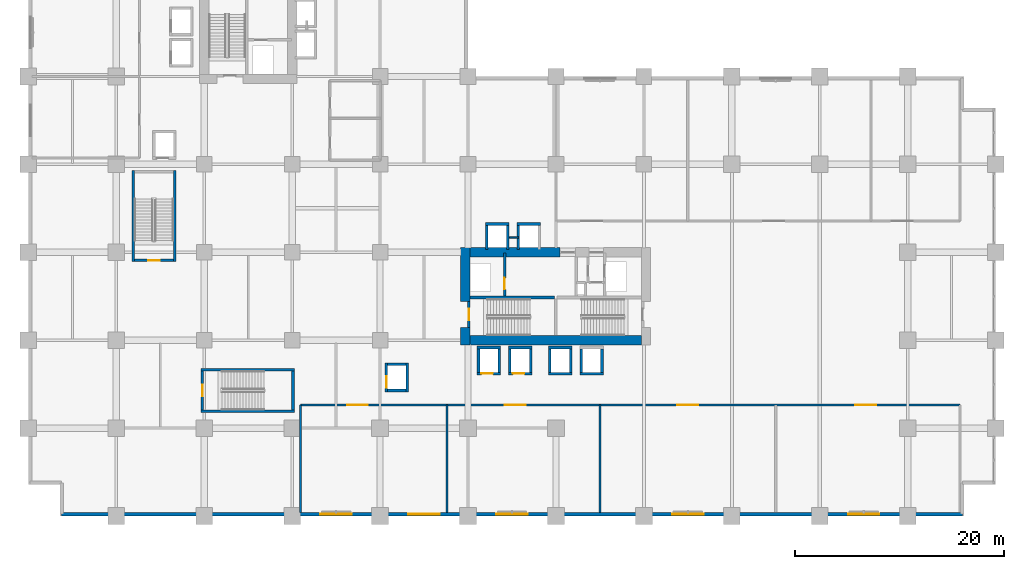
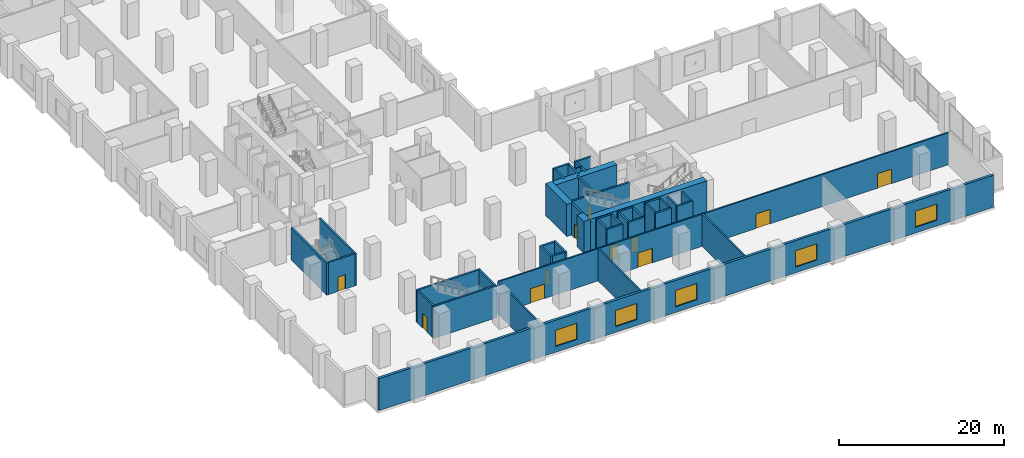
# One storey, part 9 of 23: 44 walls, 11 doors, 5 windows, 16 openings.
"""IFC4 building model written with IfcOpenShell, lengths in metres."""

from ifc_helpers import new_model, si_unit, direction, frame, frame_2d, origin, place, context, subcontext, project, spatial, rectangle, extrude, material, layer, layer_set, type_object, element, fill, save


model = new_model("IFC4")

# Units and contexts
model_context = context("Model", 3, precision=1e-05, world=origin(), true_north=direction((0.0, 1.0)))
body_context = subcontext(model_context, "Body", "Model", "MODEL_VIEW")
ifc_project = project(units=[si_unit("LENGTHUNIT", "METRE"), si_unit("AREAUNIT", "SQUARE_METRE"), si_unit("VOLUMEUNIT", "CUBIC_METRE"), si_unit("PLANEANGLEUNIT", "RADIAN"), si_unit("MASSUNIT", "GRAM", prefix="KILO")], contexts=[model_context])

# Site, building, storey
site_placement = place(None, origin())
site = spatial("IfcSite", under=ifc_project, at=site_placement, CompositionType="ELEMENT")
building_placement = place(site_placement, origin())
building = spatial("IfcBuilding", under=site, at=building_placement, Name="Koriwani Terraces Tower", CompositionType="ELEMENT")
storey_placement = place(building_placement, frame((0.0, 0.0, 20.800048828125)))
storey = spatial("IfcBuildingStorey", under=building, at=storey_placement, Name="L04", CompositionType="ELEMENT", Elevation=20.800048828125)

# Walls
ifc_material_1 = material(Name="Concrete C60/75", Category="concrete")
ifc_layer_1 = layer(ifc_material_1, 0.89990234375, Name="Concrete C60/75")
ifc_layer_set_1 = layer_set([ifc_layer_1], Name="Concrete C60/75")
wall_type_1 = type_object("IfcWallType", Name="WALL_CORE_RC_900", PredefinedType="SHEAR", material=ifc_layer_set_1)
wall_1_placement = place(storey_placement, frame((41.75, 16.35009765625, 0.0), z_axis=(0.0, 0.0, 1.0), x_axis=(0.0, 1.0, 0.0)))
element("IfcWall", 1, at=wall_1_placement, inside=storey, type_object=wall_type_1, Name="L04 East Split Core Shear Wall W1", PredefinedType="SHEAR", context=body_context, shape_type="SweptSolid", body=[
    extrude(rectangle(XDim=1.64990234375, YDim=0.89990234375, at=frame_2d((0.824951171875, 0.0))), origin(), (0.0, 0.0, 1.0), 4.75),
])
wall_2_placement = place(storey_placement, frame((41.75, 20.5, 0.0), z_axis=(0.0, 0.0, 1.0), x_axis=(0.0, 1.0, 0.0)))
element("IfcWall", 2, at=wall_2_placement, inside=storey, type_object=wall_type_1, Name="L04 East Split Core Shear Wall W2", PredefinedType="SHEAR", context=body_context, shape_type="SweptSolid", body=[
    extrude(rectangle(XDim=5.14990234375, YDim=0.89990234375, at=frame_2d((2.574951171875, 0.0))), origin(), (0.0, 0.0, 1.0), 4.75),
])
wall_3_placement = place(storey_placement, frame((42.199951171875, 16.800048828125, 0.0), z_axis=(0.0, 0.0, 1.0), x_axis=(1.0, 0.0, 0.0)))
element("IfcWall", 3, at=wall_3_placement, inside=storey, type_object=wall_type_1, Name="L04 East Split Core Shear Wall S1", PredefinedType="SHEAR", context=body_context, shape_type="SweptSolid", body=[
    extrude(rectangle(XDim=16.35009765625, YDim=0.89990234375, at=frame_2d((8.175048828125, 0.0))), origin(), (0.0, 0.0, 1.0), 4.75),
])
wall_4_placement = place(storey_placement, frame((42.199951171875, 25.199951171875, 0.0), z_axis=(0.0, 0.0, 1.0), x_axis=(1.0, 0.0, 0.0)))
element("IfcWall", 4, at=wall_4_placement, inside=storey, type_object=wall_type_1, Name="L04 East Split Core Shear Wall N1", PredefinedType="SHEAR", context=body_context, shape_type="SweptSolid", body=[
    extrude(rectangle(XDim=8.60009765625, YDim=0.89990234375, at=frame_2d((4.300048828125, 0.0))), origin(), (0.0, 0.0, 1.0), 4.75),
])

# Wall, openings, doors
ifc_material_2 = material(Name="Autoclaved Cellular Concrete Blockwork", Category="masonry")
ifc_layer_2 = layer(ifc_material_2, 0.199951171875, Name="Autoclaved Cellular Concrete Blockwork")
ifc_layer_set_2 = layer_set([ifc_layer_2], Name="Autoclaved Cellular Concrete Blockwork")
wall_type_2 = type_object("IfcWallType", Name="WALL_CORRIDOR_200", PredefinedType="PARTITIONING", material=ifc_layer_set_2)
wall_5_placement = place(storey_placement, frame((26.0, 10.60009765625, 0.0), z_axis=(0.0, 0.0, 1.0), x_axis=(1.0, 0.0, 0.0)))
wall_5 = element("IfcWall", 5, at=wall_5_placement, inside=storey, type_object=wall_type_2, Name="L04 Interior Wall WL04-CF-0", PredefinedType="PARTITIONING", context=body_context, shape_type="SweptSolid", body=[
    extrude(rectangle(XDim=63.0, YDim=0.199951171875, at=frame_2d((31.5, 0.0))), origin(), (0.0, 0.0, 1.0), 4.75),
])
opening_1_placement = place(wall_5_placement, frame((4.43994140625, 0.0, 0.0)))
opening_1 = element("IfcOpeningElement", 6, at=opening_1_placement, cuts=wall_5, Name="Opening D-02", PredefinedType="OPENING", context=body_context, shape_type="SweptSolid", body=[
    extrude(rectangle(XDim=2.0, YDim=2.14990234375, at=frame_2d((1.0, 1.074951171875))), frame((0.0, 0.10986328125, 0.0), z_axis=(0.0, -1.0, 0.0), x_axis=(1.0, 0.0, 0.0)), (0.0, 0.0, 1.0), 0.219970703125),
])
opening_2_placement = place(wall_5_placement, frame((19.5, 0.0, 0.0)))
opening_2 = element("IfcOpeningElement", 7, at=opening_2_placement, cuts=wall_5, Name="Opening D-02", PredefinedType="OPENING", context=body_context, shape_type="SweptSolid", body=[
    extrude(rectangle(XDim=2.0, YDim=2.14990234375, at=frame_2d((1.0, 1.074951171875))), frame((0.0, 0.10986328125, 0.0), z_axis=(0.0, -1.0, 0.0), x_axis=(1.0, 0.0, 0.0)), (0.0, 0.0, 1.0), 0.219970703125),
])
opening_3_placement = place(wall_5_placement, frame((36.0, 0.0, 0.0)))
opening_3 = element("IfcOpeningElement", 8, at=opening_3_placement, cuts=wall_5, Name="Opening D-02", PredefinedType="OPENING", context=body_context, shape_type="SweptSolid", body=[
    extrude(rectangle(XDim=2.0, YDim=2.14990234375, at=frame_2d((1.0, 1.074951171875))), frame((0.0, 0.10986328125, 0.0), z_axis=(0.0, -1.0, 0.0), x_axis=(1.0, 0.0, 0.0)), (0.0, 0.0, 1.0), 0.219970703125),
])
opening_4_placement = place(wall_5_placement, frame((53.0, 0.0, 0.0)))
opening_4 = element("IfcOpeningElement", 9, at=opening_4_placement, cuts=wall_5, Name="Opening D-02", PredefinedType="OPENING", context=body_context, shape_type="SweptSolid", body=[
    extrude(rectangle(XDim=2.0, YDim=2.14990234375, at=frame_2d((1.0, 1.074951171875))), frame((0.0, 0.10986328125, 0.0), z_axis=(0.0, -1.0, 0.0), x_axis=(1.0, 0.0, 0.0)), (0.0, 0.0, 1.0), 0.219970703125),
])
ifc_material_3 = material(Name="Anodised Bronze Aluminium", Category="aluminium")
door_type_1 = type_object("IfcDoorType", Name="DOOR_ENTRANCE_DOUBLE_2000X2400", OperationType="NOTDEFINED", PredefinedType="DOOR", material=ifc_material_3)
door_1_placement = place(opening_1_placement, origin())
door_1 = element("IfcDoor", 10, at=door_1_placement, inside=storey, type_object=door_type_1, Name="L04 Conference Hall 1 Door", OperationType="SINGLE_SWING_RIGHT", OverallHeight=2.14990234375, OverallWidth=2.0, PredefinedType="DOOR", context=body_context, shape_type="SweptSolid", body=[
    extrude(rectangle(XDim=2.0, YDim=2.14990234375, at=frame_2d((1.0, 1.074951171875))), frame((0.0, 0.02490234375, 0.0), z_axis=(0.0, -1.0, 0.0), x_axis=(1.0, 0.0, 0.0)), (0.0, 0.0, 1.0), 0.050048828125),
])
fill(opening_1, door_1)
door_2_placement = place(opening_2_placement, origin())
door_2 = element("IfcDoor", 11, at=door_2_placement, inside=storey, type_object=door_type_1, Name="L04 Conference Hall 2 Door", OperationType="SINGLE_SWING_LEFT", OverallHeight=2.14990234375, OverallWidth=2.0, PredefinedType="DOOR", context=body_context, shape_type="SweptSolid", body=[
    extrude(rectangle(XDim=2.0, YDim=2.14990234375, at=frame_2d((1.0, 1.074951171875))), frame((0.0, 0.02490234375, 0.0), z_axis=(0.0, -1.0, 0.0), x_axis=(1.0, 0.0, 0.0)), (0.0, 0.0, 1.0), 0.050048828125),
])
fill(opening_2, door_2)
door_3_placement = place(opening_3_placement, origin())
door_3 = element("IfcDoor", 12, at=door_3_placement, inside=storey, type_object=door_type_1, Name="L04 Conference Hall 3 Door", OperationType="SINGLE_SWING_RIGHT", OverallHeight=2.14990234375, OverallWidth=2.0, PredefinedType="DOOR", context=body_context, shape_type="SweptSolid", body=[
    extrude(rectangle(XDim=2.0, YDim=2.14990234375, at=frame_2d((1.0, 1.074951171875))), frame((0.0, 0.02490234375, 0.0), z_axis=(0.0, -1.0, 0.0), x_axis=(1.0, 0.0, 0.0)), (0.0, 0.0, 1.0), 0.050048828125),
])
fill(opening_3, door_3)
door_4_placement = place(opening_4_placement, origin())
door_4 = element("IfcDoor", 13, at=door_4_placement, inside=storey, type_object=door_type_1, Name="L04 Conference Hall 4 Door", OperationType="SINGLE_SWING_LEFT", OverallHeight=2.14990234375, OverallWidth=2.0, PredefinedType="DOOR", context=body_context, shape_type="SweptSolid", body=[
    extrude(rectangle(XDim=2.0, YDim=2.14990234375, at=frame_2d((1.0, 1.074951171875))), frame((0.0, 0.02490234375, 0.0), z_axis=(0.0, -1.0, 0.0), x_axis=(1.0, 0.0, 0.0)), (0.0, 0.0, 1.0), 0.050048828125),
])
fill(opening_4, door_4)

# Walls
ifc_layer_3 = layer(ifc_material_2, 0.219970703125, Name="Autoclaved Cellular Concrete Blockwork")
ifc_layer_set_3 = layer_set([ifc_layer_3], Name="Autoclaved Cellular Concrete Blockwork")
wall_type_3 = type_object("IfcWallType", Name="WALL_DEMISING_220", PredefinedType="PARTITIONING", material=ifc_layer_set_3)
for number, where, z_axis, x_axis, name in (
    (14, (26.0, 0.35009765625, 0.0), (0.0, 0.0, 1.0), (0.0, 1.0, 0.0), "L04 Interior Wall WL04-CFD-0"),
    (15, (40.0, 0.35009765625, 0.0), (0.0, 0.0, 1.0), (0.0, 1.0, 0.0), "L04 Interior Wall WL04-CFD-1"),
    (16, (54.60009765625, 0.35009765625, 0.0), (0.0, 0.0, 1.0), (0.0, 1.0, 0.0), "L04 Interior Wall WL04-CFD-2"),
):
    element("IfcWall", number, at=place(storey_placement, frame(where, z_axis=z_axis, x_axis=x_axis)), inside=storey, type_object=wall_type_3, Name=name, PredefinedType="PARTITIONING", context=body_context, shape_type="SweptSolid", body=[
        extrude(rectangle(XDim=10.25, YDim=0.219970703125, at=frame_2d((5.125, 0.0))), origin(), (0.0, 0.0, 1.0), 4.75),
    ])

# Wall, openings, windows
ifc_material_4 = material(Name="Concrete C50/60", Category="concrete")
ifc_layer_4 = layer(ifc_material_4, 0.35009765625, Name="Concrete C50/60")
ifc_layer_set_4 = layer_set([ifc_layer_4], Name="Concrete C50/60")
wall_type_4 = type_object("IfcWallType", Name="WALL_EXT_BRUTALIST_350", PredefinedType="STANDARD", material=ifc_layer_set_4)
wall_6_placement = place(storey_placement, frame((89.22509765625, 0.175048828125, 0.0), z_axis=(0.0, 0.0, 1.0), x_axis=(-1.0, 0.0, 0.0)))
wall_6 = element("IfcWall", 17, at=wall_6_placement, inside=storey, type_object=wall_type_4, Name="L04 Fair-Faced Brutalist Exterior Wall (S)", PredefinedType="STANDARD", context=body_context, shape_type="SweptSolid", body=[
    extrude(rectangle(XDim=86.050048828125, YDim=0.35009765625, at=frame_2d((43.02490234375, 0.0))), origin(), (0.0, 0.0, 1.0), 4.75),
])
opening_5_placement = place(wall_6_placement, frame((58.324951171875, 0.0, 0.85009765625)))
opening_5 = element("IfcOpeningElement", 18, at=opening_5_placement, cuts=wall_6, Name="Opening W-06", PredefinedType="OPENING", context=body_context, shape_type="SweptSolid", body=[
    extrude(rectangle(XDim=3.0, YDim=2.39990234375, at=frame_2d((1.5, 1.199951171875))), frame((0.0, 0.18505859375, 0.0), z_axis=(0.0, -1.0, 0.0), x_axis=(1.0, 0.0, 0.0)), (0.0, 0.0, 1.0), 0.3701171875),
])
opening_6_placement = place(wall_6_placement, frame((49.925048828125, 0.0, 0.85009765625)))
opening_6 = element("IfcOpeningElement", 19, at=opening_6_placement, cuts=wall_6, Name="Opening W-06", PredefinedType="OPENING", context=body_context, shape_type="SweptSolid", body=[
    extrude(rectangle(XDim=3.0, YDim=2.39990234375, at=frame_2d((1.5, 1.199951171875))), frame((0.0, 0.18505859375, 0.0), z_axis=(0.0, -1.0, 0.0), x_axis=(1.0, 0.0, 0.0)), (0.0, 0.0, 1.0), 0.3701171875),
])
opening_7_placement = place(wall_6_placement, frame((41.52490234375, 0.0, 0.85009765625)))
opening_7 = element("IfcOpeningElement", 20, at=opening_7_placement, cuts=wall_6, Name="Opening W-06", PredefinedType="OPENING", context=body_context, shape_type="SweptSolid", body=[
    extrude(rectangle(XDim=3.0, YDim=2.39990234375, at=frame_2d((1.5, 1.199951171875))), frame((0.0, 0.18505859375, 0.0), z_axis=(0.0, -1.0, 0.0), x_axis=(1.0, 0.0, 0.0)), (0.0, 0.0, 1.0), 0.3701171875),
])
opening_8_placement = place(wall_6_placement, frame((24.72509765625, 0.0, 0.85009765625)))
opening_8 = element("IfcOpeningElement", 21, at=opening_8_placement, cuts=wall_6, Name="Opening W-06", PredefinedType="OPENING", context=body_context, shape_type="SweptSolid", body=[
    extrude(rectangle(XDim=3.0, YDim=2.39990234375, at=frame_2d((1.5, 1.199951171875))), frame((0.0, 0.18505859375, 0.0), z_axis=(0.0, -1.0, 0.0), x_axis=(1.0, 0.0, 0.0)), (0.0, 0.0, 1.0), 0.3701171875),
])
opening_9_placement = place(wall_6_placement, frame((7.925048828125, 0.0, 0.85009765625)))
opening_9 = element("IfcOpeningElement", 22, at=opening_9_placement, cuts=wall_6, Name="Opening W-06", PredefinedType="OPENING", context=body_context, shape_type="SweptSolid", body=[
    extrude(rectangle(XDim=3.0, YDim=2.39990234375, at=frame_2d((1.5, 1.199951171875))), frame((0.0, 0.18505859375, 0.0), z_axis=(0.0, -1.0, 0.0), x_axis=(1.0, 0.0, 0.0)), (0.0, 0.0, 1.0), 0.3701171875),
])
ifc_material_5 = material(Name="Tempered Laminated Low-E Glass", Category="glass")
window_type = type_object("IfcWindowType", Name="WIN_PODIUM_PUNCHED_3000X2400", PartitioningType="TRIPLE_PANEL_VERTICAL", PredefinedType="WINDOW", material=ifc_material_5)
window_1_placement = place(opening_5_placement, origin())
window_1 = element("IfcWindow", 23, at=window_1_placement, inside=storey, type_object=window_type, Name="L04 Exterior Window (S-9)", OverallHeight=2.39990234375, OverallWidth=3.0, PartitioningType="SINGLE_PANEL", PredefinedType="WINDOW", context=body_context, shape_type="SweptSolid", body=[
    extrude(rectangle(XDim=3.0, YDim=2.39990234375, at=frame_2d((1.5, 1.199951171875))), frame((0.0, 0.030029296875, 0.0), z_axis=(0.0, -1.0, 0.0), x_axis=(1.0, 0.0, 0.0)), (0.0, 0.0, 1.0), 0.06005859375),
])
fill(opening_5, window_1)
window_2_placement = place(opening_6_placement, origin())
window_2 = element("IfcWindow", 24, at=window_2_placement, inside=storey, type_object=window_type, Name="L04 Exterior Window (S-12)", OverallHeight=2.39990234375, OverallWidth=3.0, PartitioningType="SINGLE_PANEL", PredefinedType="WINDOW", context=body_context, shape_type="SweptSolid", body=[
    extrude(rectangle(XDim=3.0, YDim=2.39990234375, at=frame_2d((1.5, 1.199951171875))), frame((0.0, 0.030029296875, 0.0), z_axis=(0.0, -1.0, 0.0), x_axis=(1.0, 0.0, 0.0)), (0.0, 0.0, 1.0), 0.06005859375),
])
fill(opening_6, window_2)
window_3_placement = place(opening_7_placement, origin())
window_3 = element("IfcWindow", 25, at=window_3_placement, inside=storey, type_object=window_type, Name="L04 Exterior Window (S-15)", OverallHeight=2.39990234375, OverallWidth=3.0, PartitioningType="SINGLE_PANEL", PredefinedType="WINDOW", context=body_context, shape_type="SweptSolid", body=[
    extrude(rectangle(XDim=3.0, YDim=2.39990234375, at=frame_2d((1.5, 1.199951171875))), frame((0.0, 0.030029296875, 0.0), z_axis=(0.0, -1.0, 0.0), x_axis=(1.0, 0.0, 0.0)), (0.0, 0.0, 1.0), 0.06005859375),
])
fill(opening_7, window_3)
window_4_placement = place(opening_8_placement, origin())
window_4 = element("IfcWindow", 26, at=window_4_placement, inside=storey, type_object=window_type, Name="L04 Exterior Window (S-21)", OverallHeight=2.39990234375, OverallWidth=3.0, PartitioningType="SINGLE_PANEL", PredefinedType="WINDOW", context=body_context, shape_type="SweptSolid", body=[
    extrude(rectangle(XDim=3.0, YDim=2.39990234375, at=frame_2d((1.5, 1.199951171875))), frame((0.0, 0.030029296875, 0.0), z_axis=(0.0, -1.0, 0.0), x_axis=(1.0, 0.0, 0.0)), (0.0, 0.0, 1.0), 0.06005859375),
])
fill(opening_8, window_4)
window_5_placement = place(opening_9_placement, origin())
window_5 = element("IfcWindow", 27, at=window_5_placement, inside=storey, type_object=window_type, Name="L04 Exterior Window (S-27)", OverallHeight=2.39990234375, OverallWidth=3.0, PartitioningType="SINGLE_PANEL", PredefinedType="WINDOW", context=body_context, shape_type="SweptSolid", body=[
    extrude(rectangle(XDim=3.0, YDim=2.39990234375, at=frame_2d((1.5, 1.199951171875))), frame((0.0, 0.030029296875, 0.0), z_axis=(0.0, -1.0, 0.0), x_axis=(1.0, 0.0, 0.0)), (0.0, 0.0, 1.0), 0.06005859375),
])
fill(opening_9, window_5)

# Walls
ifc_material_6 = material(Name="Concrete C40/50", Category="concrete")
ifc_layer_5 = layer(ifc_material_6, 0.25, Name="Concrete C40/50")
ifc_layer_set_5 = layer_set([ifc_layer_5], Name="Concrete C40/50")
wall_type_5 = type_object("IfcWallType", Name="WALL_SHAFT_RATED_250", PredefinedType="SOLIDWALL", material=ifc_layer_set_5)
wall_7_placement = place(storey_placement, frame((42.199951171875, 20.875, 0.0), z_axis=(0.0, 0.0, 1.0), x_axis=(1.0, 0.0, 0.0)))
element("IfcWall", 28, at=wall_7_placement, inside=storey, type_object=wall_type_5, Name="L04 East Split Core Web Wall MID1", PredefinedType="SOLIDWALL", context=body_context, shape_type="SweptSolid", body=[
    extrude(rectangle(XDim=8.050048828125, YDim=0.25, at=frame_2d((4.02490234375, 0.0))), origin(), (0.0, 0.0, 1.0), 4.75),
])
for number, where, z_axis, x_axis, name in (
    (29, (10.02490234375, 24.300048828125, 0.0), (0.0, 0.0, 1.0), (0.0, 1.0, 0.0), "L04 Podium Stair ST-P1 West Bearing Wall"),
    (30, (13.97509765625, 24.300048828125, 0.0), (0.0, 0.0, 1.0), (0.0, 1.0, 0.0), "L04 Podium Stair ST-P1 East Bearing Wall"),
):
    element("IfcWall", number, at=place(storey_placement, frame(where, z_axis=z_axis, x_axis=x_axis)), inside=storey, type_object=wall_type_5, Name=name, PredefinedType="SOLIDWALL", context=body_context, shape_type="SweptSolid", body=[
        extrude(rectangle(XDim=8.699951171875, YDim=0.25, at=frame_2d((4.35009765625, 0.0))), origin(), (0.0, 0.0, 1.0), 4.75),
    ])
for number, where, z_axis, x_axis, name in (
    (31, (16.5, 10.02490234375, 0.0), (0.0, 0.0, 1.0), (1.0, 0.0, 0.0), "L04 Podium Stair ST-P2 South Bearing Wall"),
    (32, (16.5, 13.97509765625, 0.0), (0.0, 0.0, 1.0), (1.0, 0.0, 0.0), "L04 Podium Stair ST-P2 North Bearing Wall"),
):
    element("IfcWall", number, at=place(storey_placement, frame(where, z_axis=z_axis, x_axis=x_axis)), inside=storey, type_object=wall_type_5, Name=name, PredefinedType="SOLIDWALL", context=body_context, shape_type="SweptSolid", body=[
        extrude(rectangle(XDim=8.89990234375, YDim=0.25, at=frame_2d((4.449951171875, 0.0))), origin(), (0.0, 0.0, 1.0), 4.75),
    ])
wall_8_placement = place(storey_placement, frame((25.27490234375, 10.14990234375, 0.0), z_axis=(0.0, 0.0, 1.0), x_axis=(0.0, 1.0, 0.0)))
element("IfcWall", 33, at=wall_8_placement, inside=storey, type_object=wall_type_5, Name="L04 Podium Stair ST-P2 East Bearing Wall", PredefinedType="SOLIDWALL", context=body_context, shape_type="SweptSolid", body=[
    extrude(rectangle(XDim=3.7001953125, YDim=0.25, at=frame_2d((1.85009765625, 0.0))), origin(), (0.0, 0.0, 1.0), 4.75),
])

# Wall, opening, door
wall_9_placement = place(storey_placement, frame((42.074951171875, 18.0, 0.0), z_axis=(0.0, 0.0, 1.0), x_axis=(0.0, 1.0, 0.0)))
wall_9 = element("IfcWall", 34, at=wall_9_placement, inside=storey, type_object=wall_type_5, Name="L04 Interior Wall WIN-CE-L04-STW", PredefinedType="SOLIDWALL", context=body_context, shape_type="SweptSolid", body=[
    extrude(rectangle(XDim=2.5, YDim=0.25, at=frame_2d((1.25, 0.0))), origin(), (0.0, 0.0, 1.0), 4.75),
])
opening_10_placement = place(wall_9_placement, frame((0.699951171875, 0.0, 0.0)))
opening_10 = element("IfcOpeningElement", 35, at=opening_10_placement, cuts=wall_9, Name="Opening D-03", PredefinedType="OPENING", context=body_context, shape_type="SweptSolid", body=[
    extrude(rectangle(XDim=1.10009765625, YDim=2.14990234375, at=frame_2d((0.550048828125, 1.074951171875))), frame((0.0, 0.135009765625, 0.0), z_axis=(0.0, -1.0, 0.0), x_axis=(1.0, 0.0, 0.0)), (0.0, 0.0, 1.0), 0.27001953125),
])
ifc_material_7 = material(Name="Steel ASTM A572 Grade 50", Category="steel")
door_type_2 = type_object("IfcDoorType", Name="DOOR_STAIR_FIRE_1100X2150", OperationType="NOTDEFINED", PredefinedType="DOOR", material=ifc_material_7)
door_5_placement = place(opening_10_placement, origin())
door_5 = element("IfcDoor", 36, at=door_5_placement, inside=storey, type_object=door_type_2, Name="L04 Exit Stair ST-E1 Door", OperationType="SINGLE_SWING_RIGHT", OverallHeight=2.14990234375, OverallWidth=1.10009765625, PredefinedType="DOOR", context=body_context, shape_type="SweptSolid", body=[
    extrude(rectangle(XDim=1.10009765625, YDim=2.14990234375, at=frame_2d((0.550048828125, 1.074951171875))), frame((0.0, 0.02490234375, 0.0), z_axis=(0.0, -1.0, 0.0), x_axis=(1.0, 0.0, 0.0)), (0.0, 0.0, 1.0), 0.050048828125),
])
fill(opening_10, door_5)

wall_10_placement = place(storey_placement, frame((45.5, 21.0, 0.0), z_axis=(0.0, 0.0, 1.0), x_axis=(0.0, 1.0, 0.0)))
wall_10 = element("IfcWall", 37, at=wall_10_placement, inside=storey, type_object=wall_type_5, Name="L04 Interior Wall WIN-CE-L04-FE", PredefinedType="SOLIDWALL", context=body_context, shape_type="SweptSolid", body=[
    extrude(rectangle(XDim=4.14990234375, YDim=0.25, at=frame_2d((2.074951171875, 0.0))), origin(), (0.0, 0.0, 1.0), 4.75),
])
opening_11_placement = place(wall_10_placement, frame((0.64990234375, 0.0, 0.0)))
opening_11 = element("IfcOpeningElement", 38, at=opening_11_placement, cuts=wall_10, Name="Opening LD-01", PredefinedType="OPENING", context=body_context, shape_type="SweptSolid", body=[
    extrude(rectangle(XDim=1.10009765625, YDim=2.14990234375, at=frame_2d((0.550048828125, 1.074951171875))), frame((0.0, 0.135009765625, 0.0), z_axis=(0.0, -1.0, 0.0), x_axis=(1.0, 0.0, 0.0)), (0.0, 0.0, 1.0), 0.27001953125),
])
door_type_3 = type_object("IfcDoorType", Name="DOOR_LIFT_LANDING_1100X2200", OperationType="NOTDEFINED", PredefinedType="DOOR", material=ifc_material_7)
door_6_placement = place(opening_11_placement, origin())
door_6 = element("IfcDoor", 39, at=door_6_placement, inside=storey, type_object=door_type_3, Name="L04 Firefighting Lift FE-02 Landing Door", OperationType="SLIDING_TO_LEFT", OverallHeight=2.14990234375, OverallWidth=1.10009765625, PredefinedType="DOOR", context=body_context, shape_type="SweptSolid", body=[
    extrude(rectangle(XDim=1.10009765625, YDim=2.14990234375, at=frame_2d((0.550048828125, 1.074951171875))), frame((0.0, 0.02490234375, 0.0), z_axis=(0.0, -1.0, 0.0), x_axis=(1.0, 0.0, 0.0)), (0.0, 0.0, 1.0), 0.050048828125),
])
fill(opening_11, door_6)

wall_11_placement = place(storey_placement, frame((34.199951171875, 11.875, 0.0), z_axis=(0.0, 0.0, 1.0), x_axis=(0.0, 1.0, 0.0)))
wall_11 = element("IfcWall", 40, at=wall_11_placement, inside=storey, type_object=wall_type_5, Name="L04 Interior Wall WIN-LF-PE-P2-L04-F", PredefinedType="SOLIDWALL", context=body_context, shape_type="SweptSolid", body=[
    extrude(rectangle(XDim=2.75, YDim=0.25, at=frame_2d((1.375, 0.0))), origin(), (0.0, 0.0, 1.0), 4.75),
])
opening_12_placement = place(wall_11_placement, frame((0.39990234375, 0.0, 0.0)))
opening_12 = element("IfcOpeningElement", 41, at=opening_12_placement, cuts=wall_11, Name="Opening LD-01", PredefinedType="OPENING", context=body_context, shape_type="SweptSolid", body=[
    extrude(rectangle(XDim=1.10009765625, YDim=2.14990234375, at=frame_2d((0.550048828125, 1.074951171875))), frame((0.0, 0.135009765625, 0.0), z_axis=(0.0, -1.0, 0.0), x_axis=(1.0, 0.0, 0.0)), (0.0, 0.0, 1.0), 0.27001953125),
])
door_7_placement = place(opening_12_placement, origin())
door_7 = element("IfcDoor", 42, at=door_7_placement, inside=storey, type_object=door_type_3, Name="L04 Passenger Lift PE-P2 Landing Door", OperationType="SLIDING_TO_LEFT", OverallHeight=2.14990234375, OverallWidth=1.10009765625, PredefinedType="DOOR", context=body_context, shape_type="SweptSolid", body=[
    extrude(rectangle(XDim=1.10009765625, YDim=2.14990234375, at=frame_2d((0.550048828125, 1.074951171875))), frame((0.0, 0.02490234375, 0.0), z_axis=(0.0, -1.0, 0.0), x_axis=(1.0, 0.0, 0.0)), (0.0, 0.0, 1.0), 0.050048828125),
])
fill(opening_12, door_7)

# Walls
wall_12_placement = place(storey_placement, frame((36.199951171875, 11.875, 0.0), z_axis=(0.0, 0.0, 1.0), x_axis=(0.0, 1.0, 0.0)))
element("IfcWall", 43, at=wall_12_placement, inside=storey, type_object=wall_type_5, Name="L04 Interior Wall WIN-LF-PE-P2-L04-B", PredefinedType="SOLIDWALL", context=body_context, shape_type="SweptSolid", body=[
    extrude(rectangle(XDim=2.75, YDim=0.25, at=frame_2d((1.375, 0.0))), origin(), (0.0, 0.0, 1.0), 4.75),
])
for number, where, z_axis, x_axis, name in (
    (44, (34.324951171875, 12.0, 0.0), (0.0, 0.0, 1.0), (1.0, 0.0, 0.0), "L04 Interior Wall WIN-LF-PE-P2-L04-S"),
    (45, (34.324951171875, 14.5, 0.0), (0.0, 0.0, 1.0), (1.0, 0.0, 0.0), "L04 Interior Wall WIN-LF-PE-P2-L04-N"),
):
    element("IfcWall", number, at=place(storey_placement, frame(where, z_axis=z_axis, x_axis=x_axis)), inside=storey, type_object=wall_type_5, Name=name, PredefinedType="SOLIDWALL", context=body_context, shape_type="SweptSolid", body=[
        extrude(rectangle(XDim=1.75, YDim=0.25, at=frame_2d((0.875, 0.0))), origin(), (0.0, 0.0, 1.0), 4.75),
    ])

# Wall, opening, door
wall_13_placement = place(storey_placement, frame((42.875, 13.60009765625, 0.0), z_axis=(0.0, 0.0, 1.0), x_axis=(1.0, 0.0, 0.0)))
wall_13 = element("IfcWall", 46, at=wall_13_placement, inside=storey, type_object=wall_type_5, Name="L04 Interior Wall WIN-LF-PE-L3-L04-F", PredefinedType="SOLIDWALL", context=body_context, shape_type="SweptSolid", body=[
    extrude(rectangle(XDim=2.25, YDim=0.25, at=frame_2d((1.125, 0.0))), origin(), (0.0, 0.0, 1.0), 4.75),
])
opening_13_placement = place(wall_13_placement, frame((0.39990234375, 0.0, 0.0)))
opening_13 = element("IfcOpeningElement", 47, at=opening_13_placement, cuts=wall_13, Name="Opening LD-01", PredefinedType="OPENING", context=body_context, shape_type="SweptSolid", body=[
    extrude(rectangle(XDim=1.10009765625, YDim=2.14990234375, at=frame_2d((0.550048828125, 1.074951171875))), frame((0.0, 0.135009765625, 0.0), z_axis=(0.0, -1.0, 0.0), x_axis=(1.0, 0.0, 0.0)), (0.0, 0.0, 1.0), 0.27001953125),
])
door_8_placement = place(opening_13_placement, origin())
door_8 = element("IfcDoor", 48, at=door_8_placement, inside=storey, type_object=door_type_3, Name="L04 Passenger Lift PE-L3 Landing Door", OperationType="SLIDING_TO_LEFT", OverallHeight=2.14990234375, OverallWidth=1.10009765625, PredefinedType="DOOR", context=body_context, shape_type="SweptSolid", body=[
    extrude(rectangle(XDim=1.10009765625, YDim=2.14990234375, at=frame_2d((0.550048828125, 1.074951171875))), frame((0.0, 0.02490234375, 0.0), z_axis=(0.0, -1.0, 0.0), x_axis=(1.0, 0.0, 0.0)), (0.0, 0.0, 1.0), 0.050048828125),
])
fill(opening_13, door_8)

# Walls
for number, where, z_axis, x_axis, name in (
    (49, (42.875, 16.10009765625, 0.0), (0.0, 0.0, 1.0), (1.0, 0.0, 0.0), "L04 Interior Wall WIN-LF-PE-L3-L04-B"),
    (50, (43.0, 13.72509765625, 0.0), (0.0, 0.0, 1.0), (0.0, 1.0, 0.0), "L04 Interior Wall WIN-LF-PE-L3-L04-W"),
    (51, (45.0, 13.72509765625, 0.0), (0.0, 0.0, 1.0), (0.0, 1.0, 0.0), "L04 Interior Wall WIN-LF-PE-L3-L04-E"),
):
    element("IfcWall", number, at=place(storey_placement, frame(where, z_axis=z_axis, x_axis=x_axis)), inside=storey, type_object=wall_type_5, Name=name, PredefinedType="SOLIDWALL", context=body_context, shape_type="SweptSolid", body=[
        extrude(rectangle(XDim=2.25, YDim=0.25, at=frame_2d((1.125, 0.0))), origin(), (0.0, 0.0, 1.0), 4.75),
    ])

# Wall, opening, door
wall_14_placement = place(storey_placement, frame((45.875, 13.60009765625, 0.0), z_axis=(0.0, 0.0, 1.0), x_axis=(1.0, 0.0, 0.0)))
wall_14 = element("IfcWall", 52, at=wall_14_placement, inside=storey, type_object=wall_type_5, Name="L04 Interior Wall WIN-LF-PE-L4-L04-F", PredefinedType="SOLIDWALL", context=body_context, shape_type="SweptSolid", body=[
    extrude(rectangle(XDim=2.25, YDim=0.25, at=frame_2d((1.125, 0.0))), origin(), (0.0, 0.0, 1.0), 4.75),
])
opening_14_placement = place(wall_14_placement, frame((0.39990234375, 0.0, 0.0)))
opening_14 = element("IfcOpeningElement", 53, at=opening_14_placement, cuts=wall_14, Name="Opening LD-01", PredefinedType="OPENING", context=body_context, shape_type="SweptSolid", body=[
    extrude(rectangle(XDim=1.10009765625, YDim=2.14990234375, at=frame_2d((0.550048828125, 1.074951171875))), frame((0.0, 0.135009765625, 0.0), z_axis=(0.0, -1.0, 0.0), x_axis=(1.0, 0.0, 0.0)), (0.0, 0.0, 1.0), 0.27001953125),
])
door_9_placement = place(opening_14_placement, origin())
door_9 = element("IfcDoor", 54, at=door_9_placement, inside=storey, type_object=door_type_3, Name="L04 Passenger Lift PE-L4 Landing Door", OperationType="SLIDING_TO_LEFT", OverallHeight=2.14990234375, OverallWidth=1.10009765625, PredefinedType="DOOR", context=body_context, shape_type="SweptSolid", body=[
    extrude(rectangle(XDim=1.10009765625, YDim=2.14990234375, at=frame_2d((0.550048828125, 1.074951171875))), frame((0.0, 0.02490234375, 0.0), z_axis=(0.0, -1.0, 0.0), x_axis=(1.0, 0.0, 0.0)), (0.0, 0.0, 1.0), 0.050048828125),
])
fill(opening_14, door_9)

# Walls
for number, where, z_axis, x_axis, name in (
    (55, (45.875, 16.10009765625, 0.0), (0.0, 0.0, 1.0), (1.0, 0.0, 0.0), "L04 Interior Wall WIN-LF-PE-L4-L04-B"),
    (56, (46.0, 13.72509765625, 0.0), (0.0, 0.0, 1.0), (0.0, 1.0, 0.0), "L04 Interior Wall WIN-LF-PE-L4-L04-W"),
    (57, (48.0, 13.72509765625, 0.0), (0.0, 0.0, 1.0), (0.0, 1.0, 0.0), "L04 Interior Wall WIN-LF-PE-L4-L04-E"),
    (58, (49.675048828125, 13.60009765625, 0.0), (0.0, 0.0, 1.0), (1.0, 0.0, 0.0), "L04 Interior Wall WIN-LF-PE-M3-L04-F"),
    (59, (49.675048828125, 16.10009765625, 0.0), (0.0, 0.0, 1.0), (1.0, 0.0, 0.0), "L04 Interior Wall WIN-LF-PE-M3-L04-B"),
    (60, (49.800048828125, 13.72509765625, 0.0), (0.0, 0.0, 1.0), (0.0, 1.0, 0.0), "L04 Interior Wall WIN-LF-PE-M3-L04-W"),
    (61, (51.800048828125, 13.72509765625, 0.0), (0.0, 0.0, 1.0), (0.0, 1.0, 0.0), "L04 Interior Wall WIN-LF-PE-M3-L04-E"),
    (62, (52.675048828125, 13.60009765625, 0.0), (0.0, 0.0, 1.0), (1.0, 0.0, 0.0), "L04 Interior Wall WIN-LF-PE-M4-L04-F"),
    (63, (52.800048828125, 13.72509765625, 0.0), (0.0, 0.0, 1.0), (0.0, 1.0, 0.0), "L04 Interior Wall WIN-LF-PE-M4-L04-W"),
    (64, (54.800048828125, 13.72509765625, 0.0), (0.0, 0.0, 1.0), (0.0, 1.0, 0.0), "L04 Interior Wall WIN-LF-PE-M4-L04-E"),
    (65, (43.675048828125, 27.89990234375, 0.0), (0.0, 0.0, 1.0), (1.0, 0.0, 0.0), "L04 Interior Wall WIN-LF-PE-H3-L04-F"),
):
    element("IfcWall", number, at=place(storey_placement, frame(where, z_axis=z_axis, x_axis=x_axis)), inside=storey, type_object=wall_type_5, Name=name, PredefinedType="SOLIDWALL", context=body_context, shape_type="SweptSolid", body=[
        extrude(rectangle(XDim=2.25, YDim=0.25, at=frame_2d((1.125, 0.0))), origin(), (0.0, 0.0, 1.0), 4.75),
    ])
for number, where, z_axis, x_axis, name in (
    (66, (43.800048828125, 25.449951171875, 0.0), (0.0, 0.0, 1.0), (0.0, 1.0, 0.0), "L04 Interior Wall WIN-LF-PE-H3-L04-W"),
    (67, (45.800048828125, 25.449951171875, 0.0), (0.0, 0.0, 1.0), (0.0, 1.0, 0.0), "L04 Interior Wall WIN-LF-PE-H3-L04-E"),
):
    element("IfcWall", number, at=place(storey_placement, frame(where, z_axis=z_axis, x_axis=x_axis)), inside=storey, type_object=wall_type_5, Name=name, PredefinedType="SOLIDWALL", context=body_context, shape_type="SweptSolid", body=[
        extrude(rectangle(XDim=2.324951171875, YDim=0.25, at=frame_2d((1.16259765625, 0.0))), origin(), (0.0, 0.0, 1.0), 4.75),
    ])
wall_15_placement = place(storey_placement, frame((46.675048828125, 27.89990234375, 0.0), z_axis=(0.0, 0.0, 1.0), x_axis=(1.0, 0.0, 0.0)))
element("IfcWall", 68, at=wall_15_placement, inside=storey, type_object=wall_type_5, Name="L04 Interior Wall WIN-LF-PE-H4-L04-F", PredefinedType="SOLIDWALL", context=body_context, shape_type="SweptSolid", body=[
    extrude(rectangle(XDim=2.25, YDim=0.25, at=frame_2d((1.125, 0.0))), origin(), (0.0, 0.0, 1.0), 4.75),
])
wall_16_placement = place(storey_placement, frame((46.800048828125, 25.449951171875, 0.0), z_axis=(0.0, 0.0, 1.0), x_axis=(0.0, 1.0, 0.0)))
element("IfcWall", 69, at=wall_16_placement, inside=storey, type_object=wall_type_5, Name="L04 Interior Wall WIN-LF-PE-H4-L04-W", PredefinedType="SOLIDWALL", context=body_context, shape_type="SweptSolid", body=[
    extrude(rectangle(XDim=2.324951171875, YDim=0.25, at=frame_2d((1.16259765625, 0.0))), origin(), (0.0, 0.0, 1.0), 4.75),
])

# Wall, opening, door
wall_17_placement = place(storey_placement, frame((10.14990234375, 24.425048828125, 0.0), z_axis=(0.0, 0.0, 1.0), x_axis=(1.0, 0.0, 0.0)))
wall_17 = element("IfcWall", 70, at=wall_17_placement, inside=storey, type_object=wall_type_5, Name="L04 Interior Wall WIN-STP1-L04-S", PredefinedType="SOLIDWALL", context=body_context, shape_type="SweptSolid", body=[
    extrude(rectangle(XDim=3.7001953125, YDim=0.25, at=frame_2d((1.85009765625, 0.0))), origin(), (0.0, 0.0, 1.0), 4.75),
])
opening_15_placement = place(wall_17_placement, frame((1.300048828125, 0.0, 0.0)))
opening_15 = element("IfcOpeningElement", 71, at=opening_15_placement, cuts=wall_17, Name="Opening D-03", PredefinedType="OPENING", context=body_context, shape_type="SweptSolid", body=[
    extrude(rectangle(XDim=1.10009765625, YDim=2.14990234375, at=frame_2d((0.550048828125, 1.074951171875))), frame((0.0, 0.135009765625, 0.0), z_axis=(0.0, -1.0, 0.0), x_axis=(1.0, 0.0, 0.0)), (0.0, 0.0, 1.0), 0.27001953125),
])
door_10_placement = place(opening_15_placement, origin())
door_10 = element("IfcDoor", 72, at=door_10_placement, inside=storey, type_object=door_type_2, Name="L04 Podium Exit Stair ST-P1 Door", OperationType="SINGLE_SWING_RIGHT", OverallHeight=2.14990234375, OverallWidth=1.10009765625, PredefinedType="DOOR", context=body_context, shape_type="SweptSolid", body=[
    extrude(rectangle(XDim=1.10009765625, YDim=2.14990234375, at=frame_2d((0.550048828125, 1.074951171875))), frame((0.0, 0.02490234375, 0.0), z_axis=(0.0, -1.0, 0.0), x_axis=(1.0, 0.0, 0.0)), (0.0, 0.0, 1.0), 0.050048828125),
])
fill(opening_15, door_10)

wall_18_placement = place(storey_placement, frame((16.625, 10.14990234375, 0.0), z_axis=(0.0, 0.0, 1.0), x_axis=(0.0, 1.0, 0.0)))
wall_18 = element("IfcWall", 73, at=wall_18_placement, inside=storey, type_object=wall_type_5, Name="L04 Interior Wall WIN-STP2-L04-W", PredefinedType="SOLIDWALL", context=body_context, shape_type="SweptSolid", body=[
    extrude(rectangle(XDim=3.7001953125, YDim=0.25, at=frame_2d((1.85009765625, 0.0))), origin(), (0.0, 0.0, 1.0), 4.75),
])
opening_16_placement = place(wall_18_placement, frame((1.300048828125, 0.0, 0.0)))
opening_16 = element("IfcOpeningElement", 74, at=opening_16_placement, cuts=wall_18, Name="Opening D-03", PredefinedType="OPENING", context=body_context, shape_type="SweptSolid", body=[
    extrude(rectangle(XDim=1.10009765625, YDim=2.14990234375, at=frame_2d((0.550048828125, 1.074951171875))), frame((0.0, 0.135009765625, 0.0), z_axis=(0.0, -1.0, 0.0), x_axis=(1.0, 0.0, 0.0)), (0.0, 0.0, 1.0), 0.27001953125),
])
door_11_placement = place(opening_16_placement, origin())
door_11 = element("IfcDoor", 75, at=door_11_placement, inside=storey, type_object=door_type_2, Name="L04 Podium Exit Stair ST-P2 Door", OperationType="SINGLE_SWING_LEFT", OverallHeight=2.14990234375, OverallWidth=1.10009765625, PredefinedType="DOOR", context=body_context, shape_type="SweptSolid", body=[
    extrude(rectangle(XDim=1.10009765625, YDim=2.14990234375, at=frame_2d((0.550048828125, 1.074951171875))), frame((0.0, 0.02490234375, 0.0), z_axis=(0.0, -1.0, 0.0), x_axis=(1.0, 0.0, 0.0)), (0.0, 0.0, 1.0), 0.050048828125),
])
fill(opening_16, door_11)

# Wall
ifc_material_8 = material(Name="Fire-Rated Acoustic Gypsum Partition", Category="masonry")
ifc_layer_6 = layer(ifc_material_8, 0.159912109375, Name="Fire-Rated Acoustic Gypsum Partition")
ifc_layer_set_6 = layer_set([ifc_layer_6], Name="Fire-Rated Acoustic Gypsum Partition")
wall_type_6 = type_object("IfcWallType", Name="WALL_SUITE_160", PredefinedType="PARTITIONING", material=ifc_layer_set_6)
wall_19_placement = place(storey_placement, frame((45.9599609375, 26.60009765625, 0.0), z_axis=(0.0, 0.0, 1.0), x_axis=(1.0, 0.0, 0.0)))
element("IfcWall", 76, at=wall_19_placement, inside=storey, type_object=wall_type_6, Name="L04 Interior Wall WIN-LF-PEH34-MID-L04", PredefinedType="PARTITIONING", context=body_context, shape_type="SweptSolid", body=[
    extrude(rectangle(XDim=0.880126953125, YDim=0.159912109375, at=frame_2d((0.43994140625, 0.0))), origin(), (0.0, 0.0, 1.0), 4.75),
])

save(model, "model.ifc")
